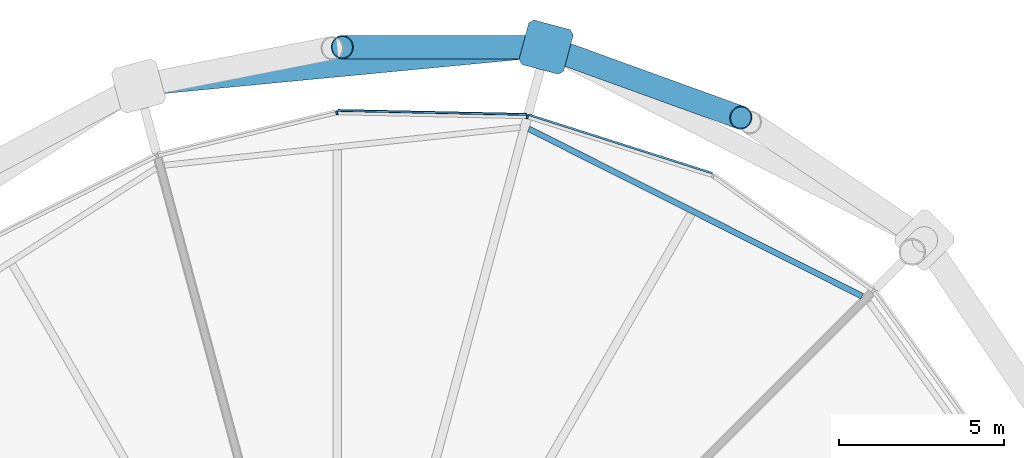
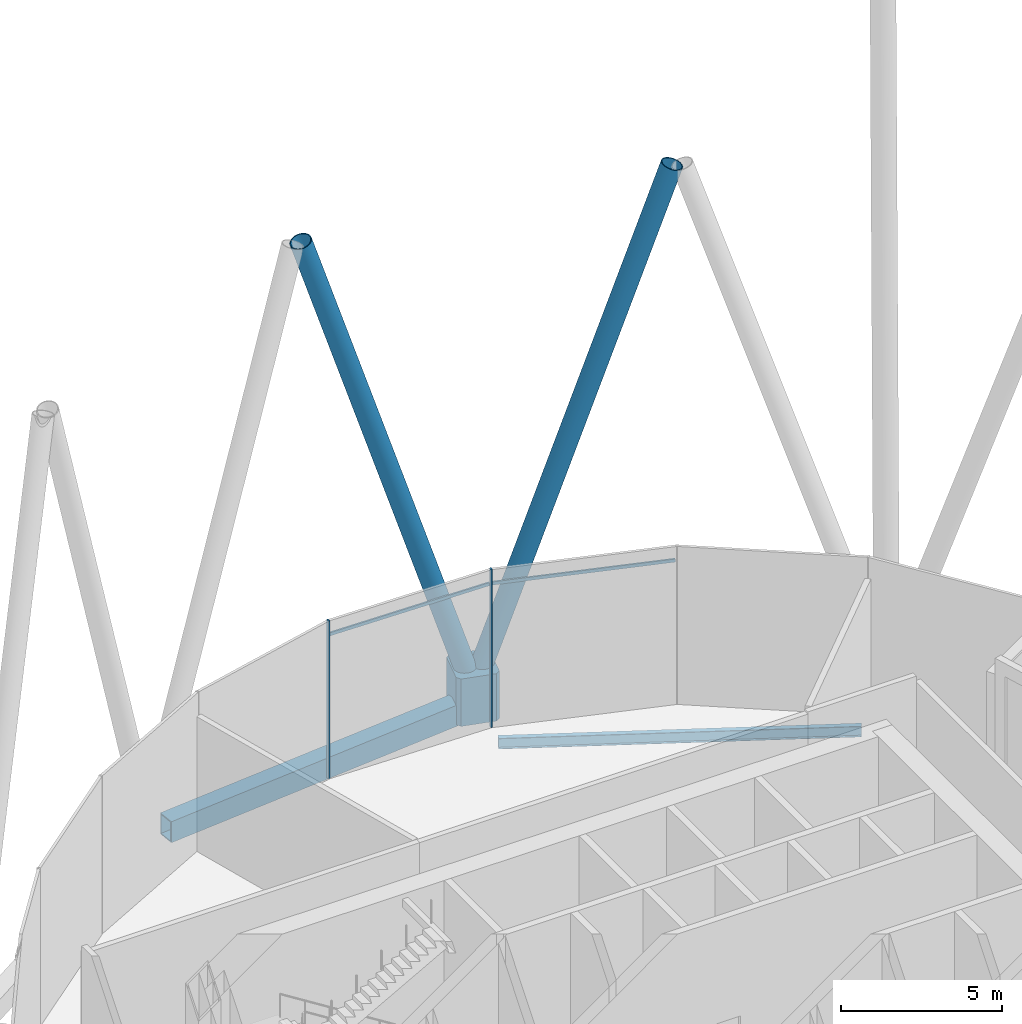
# One storey, part 28 of 39: 7 members, 2 beams, 1 element without a shape of its own.
"""IFC4 building model written with IfcOpenShell, lengths in metres."""

from ifc_helpers import new_model, si_unit, direction, frame, origin, origin_2d, place, context, subcontext, project, spatial, polyline, rectangle, hollow_rectangle, hollow_circle, i_section, outline, extrude, material, material_profile, profile_set, type_object, element, aggregate, save


model = new_model("IFC4")

# Units and contexts
model_context = context("Model", 3, precision=1e-05, world=origin(), true_north=direction((0.0, 1.0)))
body_context = subcontext(model_context, "Body", "Model", "MODEL_VIEW")
ifc_project = project(units=[si_unit("LENGTHUNIT", "METRE"), si_unit("AREAUNIT", "SQUARE_METRE"), si_unit("VOLUMEUNIT", "CUBIC_METRE"), si_unit("PLANEANGLEUNIT", "RADIAN"), si_unit("MASSUNIT", "GRAM", prefix="KILO")], contexts=[model_context])

# Site, building, storey
site_placement = place(None, origin())
site = spatial("IfcSite", under=ifc_project, at=site_placement, CompositionType="ELEMENT")
building_placement = place(site_placement, origin())
building = spatial("IfcBuilding", under=site, at=building_placement, Name="Rimbun Link Towers", CompositionType="ELEMENT")
storey_placement = place(building_placement, frame((0.0, 0.0, 127.199951171875)))
storey = spatial("IfcBuildingStorey", under=building, at=storey_placement, Name="L31", CompositionType="ELEMENT", Elevation=127.199951171875)

# Curtain wall, members
ifc_material_1 = material(Name="Aluminium 6063-T6 louvre wall", Category="aluminium")
curtain_wall_type = type_object("IfcCurtainWallType", Name="CW6 plant floor louvre wall", PredefinedType="NOTDEFINED", material=ifc_material_1)
curtain_wall_placement = place(storey_placement, origin())
curtain_wall = element("IfcCurtainWall", 1, at=curtain_wall_placement, inside=storey, type_object=curtain_wall_type, Name="CW6 L31 T2", PredefinedType="NOTDEFINED")
ifc_material_2 = material(Name="Aluminium 6063-T6", Category="aluminium")
ifc_material_profile_1 = material_profile(ifc_material_2, rectangle(XDim=0.1201171875, YDim=0.06005859375, at=origin_2d()), Name="MULLION 60X120")
ifc_profile_set_1 = profile_set([ifc_material_profile_1], Name="Aluminium 6063-T6")
member_type_1 = type_object("IfcMemberType", Name="CW6 mullion 60X120", PredefinedType="MULLION", material=ifc_profile_set_1)
member_1_placement = place(storey_placement, frame((37.523193359375, 21.568359375, 0.0), z_axis=(0.0, 0.0, 1.0), x_axis=(0.163750689273, 0.986501754566, 0.0)))
member_1 = element("IfcMember", 2, at=member_1_placement, type_object=member_type_1, Name="CW6 mullion", PredefinedType="MULLION", context=body_context, shape_type="SweptSolid", body=[
    extrude(rectangle(XDim=0.1201171875, YDim=0.06005859375, at=origin_2d()), origin(), (0.0, 0.0, 1.0), 6.0),
])
member_2_placement = place(storey_placement, frame((31.74365234375, 21.690185546875, 0.0), z_axis=(0.0, 0.0, 1.0), x_axis=(-0.106643372198, 0.994297335391, 0.0)))
member_2 = element("IfcMember", 3, at=member_2_placement, type_object=member_type_1, Name="CW6 mullion", PredefinedType="MULLION", context=body_context, shape_type="SweptSolid", body=[
    extrude(rectangle(XDim=0.1201171875, YDim=0.06005859375, at=origin_2d()), origin(), (0.0, 0.0, 1.0), 6.0),
])
ifc_material_3 = material(Name="Aluminium 6063-T6", Category="aluminium")
ifc_material_profile_2 = material_profile(ifc_material_3, rectangle(XDim=0.06005859375, YDim=0.1201171875, at=origin_2d()), Name="TRANSOM 60X120")
ifc_profile_set_2 = profile_set([ifc_material_profile_2], Name="Aluminium 6063-T6")
member_type_2 = type_object("IfcMemberType", Name="CW6 transom 60X120", PredefinedType="USERDEFINED", material=ifc_profile_set_2)
member_3_placement = place(storey_placement, frame((37.581298828125, 21.6240234375, 5.400146484375), z_axis=(0.952965301455, -0.303079419001, 0.0), x_axis=(0.303079419001, 0.952965301455, 0.0)))
member_3 = element("IfcMember", 4, at=member_3_placement, type_object=member_type_2, Name="CW6 transom", ObjectType="TRANSOM", PredefinedType="USERDEFINED", context=body_context, shape_type="SweptSolid", body=[
    extrude(rectangle(XDim=0.06005859375, YDim=0.1201171875, at=origin_2d()), origin(), (0.0, 0.0, 1.0), 5.840087890625),
])
member_4_placement = place(storey_placement, frame((31.78271484375, 21.760009765625, 5.400146484375), z_axis=(0.999778296318, -0.021056073019, 0.0), x_axis=(0.021056073019, 0.999778296318, 0.0)))
member_4 = element("IfcMember", 5, at=member_4_placement, type_object=member_type_2, Name="CW6 transom", ObjectType="TRANSOM", PredefinedType="USERDEFINED", context=body_context, shape_type="SweptSolid", body=[
    extrude(rectangle(XDim=0.06005859375, YDim=0.1201171875, at=origin_2d()), origin(), (0.0, 0.0, 1.0), 5.70458984375),
])
aggregate(curtain_wall, [member_1, member_2, member_3, member_4])

# Members
ifc_material_4 = material(Name="Steel S460NH", Category="steel")
ifc_material_profile_3 = material_profile(ifc_material_4, hollow_circle(Radius=0.355712890625, WallThickness=0.031982421875, at=origin_2d()), Name="Diagrid diagonal CHS 711x32")
ifc_profile_set_3 = profile_set([ifc_material_profile_3], Name="Steel S460NH")
member_type_3 = type_object("IfcMemberType", Name="Diagrid diagonal CHS 711x32", PredefinedType="BRACE", material=ifc_profile_set_3)
member_5_placement = place(storey_placement, frame((38.24267578125, 23.62939453125, 0.47509765625), z_axis=(0.293716404016, -0.106374110672, 0.949955379263), x_axis=(0.340521787386, 0.940236625704, 0.0)))
element("IfcMember", 6, at=member_5_placement, inside=storey, type_object=member_type_3, Name="Diagrid diagonal T2 L31-L35 02a", PredefinedType="BRACE", context=body_context, shape_type="SweptSolid", body=[
    extrude(hollow_circle(Radius=0.355712890625, WallThickness=0.031982421875, at=origin_2d()), origin(), (0.0, 0.0, 1.0), 19.63232421875),
])
member_6_placement = place(storey_placement, frame((37.941650390625, 23.6826171875, 0.475830078125), z_axis=(-0.308017923059, -7.4731401e-05, 0.951380551351), x_axis=(0.000242620292, -0.999999970568, 0.0)))
element("IfcMember", 7, at=member_6_placement, inside=storey, type_object=member_type_3, Name="Diagrid diagonal T2 L31-L35 02b", PredefinedType="BRACE", context=body_context, shape_type="SweptSolid", body=[
    extrude(hollow_circle(Radius=0.355712890625, WallThickness=0.031982421875, at=origin_2d()), origin(), (0.0, 0.0, 1.0), 19.6015625),
])
ifc_material_5 = material(Name="Cast steel G20Mn5+QT, Rp0.2 300 MPa", Category="steel")
ifc_material_profile_4 = material_profile(ifc_material_5, outline(polyline([(0.699951171875, -0.570068359375), (0.699951171875, 0.570068359375), (0.570068359375, 0.699951171875), (-0.570068359375, 0.699951171875), (-0.699951171875, 0.570068359375), (-0.699951171875, -0.570068359375), (-0.570068359375, -0.699951171875), (0.570068359375, -0.699951171875), (0.699951171875, -0.570068359375)])), Name="NODE 1400x1400")
ifc_profile_set_4 = profile_set([ifc_material_profile_4], Name="Cast steel G20Mn5+QT, Rp0.2 300 MPa")
member_type_4 = type_object("IfcMemberType", Name="Diagrid node cast 1400", PredefinedType="USERDEFINED", material=ifc_profile_set_4)
member_7_placement = place(storey_placement, frame((38.095703125, 23.6826171875, -0.89990234375), z_axis=(0.0, 0.0, 1.0), x_axis=(0.258819045103, 0.965925826289, 0.0)))
element("IfcMember", 8, at=member_7_placement, inside=storey, type_object=member_type_4, Name="Diagrid node L31 02", ObjectType="Diagrid node", PredefinedType="USERDEFINED", context=body_context, shape_type="SweptSolid", body=[
    extrude(outline(polyline([(0.699951171875, -0.570068359375), (0.699951171875, 0.570068359375), (0.570068359375, 0.699951171875), (-0.570068359375, 0.699951171875), (-0.699951171875, 0.570068359375), (-0.699951171875, -0.570068359375), (-0.570068359375, -0.699951171875), (0.570068359375, -0.699951171875), (0.699951171875, -0.570068359375)])), origin(), (0.0, 0.0, 1.0), 1.800048828125),
])

# Beams
ifc_material_6 = material(Name="Steel S355J2", Category="steel")
ifc_material_profile_5 = material_profile(ifc_material_6, hollow_rectangle(XDim=0.60009765625, YDim=0.800048828125, WallThickness=0.0400390625, at=origin_2d()), Name="Exoskeleton ring girder BOX 600x800x40")
ifc_profile_set_5 = profile_set([ifc_material_profile_5], Name="Steel S355J2")
beam_type_1 = type_object("IfcBeamType", Name="Exoskeleton ring girder BOX 600x800x40", PredefinedType="BEAM", material=ifc_profile_set_5)
beam_1_placement = place(storey_placement, frame((37.39892578125, 23.615966796875, -0.56005859375), z_axis=(-0.995476254949, -0.095010661683, 0.0), x_axis=(0.095010661683, -0.995476254949, 0.0)))
element("IfcBeam", 9, at=beam_1_placement, inside=storey, type_object=beam_type_1, Name="Exoskeleton ring girder L31 01", PredefinedType="BEAM", context=body_context, shape_type="SweptSolid", body=[
    extrude(hollow_rectangle(XDim=0.60009765625, YDim=0.800048828125, WallThickness=0.0400390625, at=origin_2d()), origin(), (0.0, 0.0, 1.0), 11.03125),
])
ifc_material_7 = material(Name="Steel S355J2", Category="steel")
ifc_material_profile_6 = material_profile(ifc_material_7, i_section(OverallWidth=0.177978515625, OverallDepth=0.406494140625, WebThickness=0.0078125, FlangeThickness=0.0126953125, at=origin_2d()), Name="UB 406x178x60")
ifc_profile_set_6 = profile_set([ifc_material_profile_6], Name="Steel S355J2")
beam_type_2 = type_object("IfcBeamType", Name="UB 406x178x60", PredefinedType="BEAM", material=ifc_profile_set_6)
beam_2_placement = place(storey_placement, frame((47.689208984375, 16.1201171875, -0.383056640625), z_axis=(-0.893757776466, 0.448549926994, 0.0), x_axis=(-0.448549926994, -0.893757776466, 0.0)))
element("IfcBeam", 10, at=beam_2_placement, inside=storey, type_object=beam_type_2, Name="Edge beam T2 L31 00-02", PredefinedType="BEAM", context=body_context, shape_type="SweptSolid", body=[
    extrude(i_section(OverallWidth=0.177978515625, OverallDepth=0.406494140625, WebThickness=0.0078125, FlangeThickness=0.0126953125, at=origin_2d()), origin(), (0.0, 0.0, 1.0), 11.32275390625),
])

save(model, "model.ifc")
